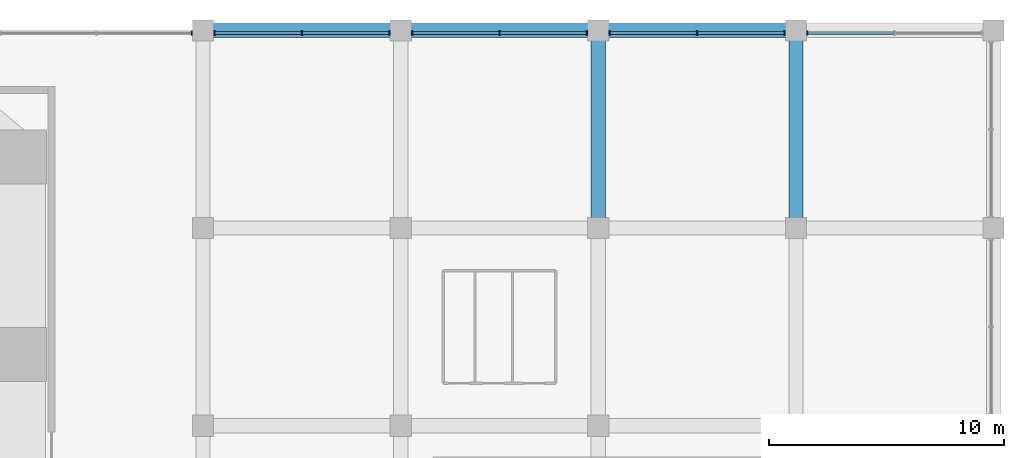
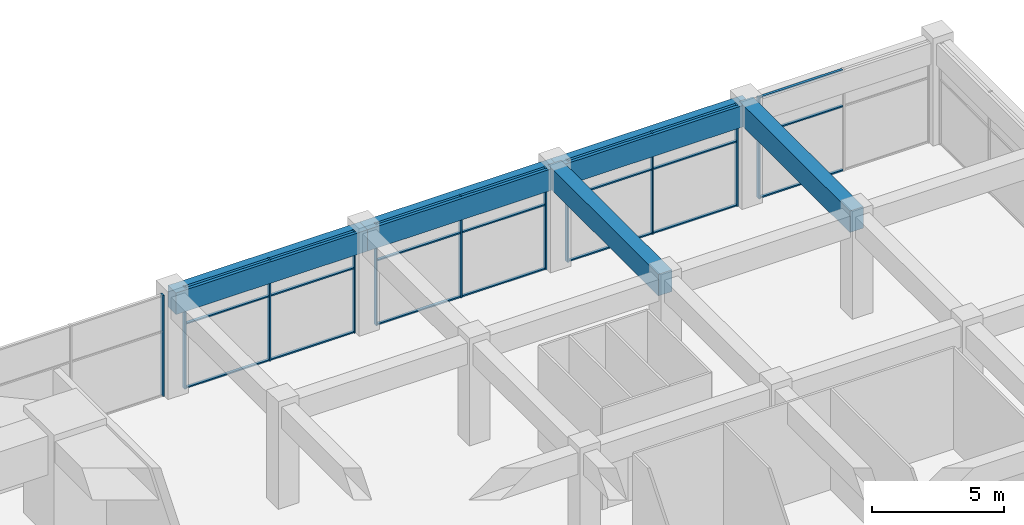
# One storey, part 22 of 36: 32 members, 5 beams, 5 elements without a shape of their own.
"""IFC4 building model written with IfcOpenShell, lengths in metres."""

from ifc_helpers import new_model, si_unit, direction, frame, origin, origin_2d, place, context, subcontext, project, spatial, rectangle, extrude, material, material_profile, profile_set, type_object, element, aggregate, save


model = new_model("IFC4")

# Units and contexts
model_context = context("Model", 3, precision=1e-05, world=origin(), true_north=direction((0.0, 1.0)))
body_context = subcontext(model_context, "Body", "Model", "MODEL_VIEW")
ifc_project = project(units=[si_unit("LENGTHUNIT", "METRE"), si_unit("AREAUNIT", "SQUARE_METRE"), si_unit("VOLUMEUNIT", "CUBIC_METRE"), si_unit("PLANEANGLEUNIT", "RADIAN"), si_unit("MASSUNIT", "GRAM", prefix="KILO")], contexts=[model_context])

# Site, building, storey
site_placement = place(None, origin())
site = spatial("IfcSite", under=ifc_project, at=site_placement, CompositionType="ELEMENT")
building_placement = place(site_placement, origin())
building = spatial("IfcBuilding", under=site, at=building_placement, Name="Impinga Residences", CompositionType="ELEMENT")
storey_placement = place(building_placement, frame((0.0, 0.0, 6.0)))
storey = spatial("IfcBuildingStorey", under=building, at=storey_placement, Name="L01", CompositionType="ELEMENT", Elevation=6.0)

# Curtain wall, member
ifc_material_1 = material(Name="Aluminium stick curtain wall", Category="aluminium")
curtain_wall_type = type_object("IfcCurtainWallType", Name="CW1 podium amenity curtain wall", PredefinedType="USERDEFINED", material=ifc_material_1)
curtain_wall_1_placement = place(storey_placement, origin())
curtain_wall_1 = element("IfcCurtainWall", 1, at=curtain_wall_1_placement, inside=storey, type_object=curtain_wall_type, Name="Curtain wall CW1 L01", ObjectType="STICK CURTAIN WALL", PredefinedType="USERDEFINED")
ifc_material_2 = material(Name="Aluminium mullion", Category="aluminium")
ifc_material_profile_1 = material_profile(ifc_material_2, rectangle(XDim=0.06005859375, YDim=0.179931640625, at=origin_2d()), Name="60x180 mullion")
ifc_profile_set_1 = profile_set([ifc_material_profile_1], Name="Aluminium mullion")
member_type_1 = type_object("IfcMemberType", Name="CW1-M mullion 60x180", PredefinedType="MULLION", material=ifc_profile_set_1)
member_1_placement = place(storey_placement, frame((16.31689453125, 50.300048828125, 0.0), z_axis=(0.0, 0.0, 1.0), x_axis=(1.0, 0.0, 0.0)))
member_1 = element("IfcMember", 2, at=member_1_placement, type_object=member_type_1, Name="CW1 mullion 9", PredefinedType="MULLION", context=body_context, shape_type="SweptSolid", body=[
    extrude(rectangle(XDim=0.06005859375, YDim=0.179931640625, at=origin_2d()), origin(), (0.0, 0.0, 1.0), 4.699951171875),
])
aggregate(curtain_wall_1, [member_1])

# Curtain wall, members
curtain_wall_2_placement = place(storey_placement, origin())
curtain_wall_2 = element("IfcCurtainWall", 3, at=curtain_wall_2_placement, inside=storey, type_object=curtain_wall_type, Name="Curtain wall CW1 L01", ObjectType="STICK CURTAIN WALL", PredefinedType="USERDEFINED")
member_2_placement = place(storey_placement, frame((17.282958984375, 50.300048828125, 0.0), z_axis=(0.0, 0.0, 1.0), x_axis=(1.0, 0.0, 0.0)))
member_2 = element("IfcMember", 4, at=member_2_placement, type_object=member_type_1, Name="CW1 mullion 1", PredefinedType="MULLION", context=body_context, shape_type="SweptSolid", body=[
    extrude(rectangle(XDim=0.06005859375, YDim=0.179931640625, at=origin_2d()), origin(), (0.0, 0.0, 1.0), 4.699951171875),
])
member_3_placement = place(storey_placement, frame((21.0, 50.300048828125, 0.0), z_axis=(0.0, 0.0, 1.0), x_axis=(1.0, 0.0, 0.0)))
member_3 = element("IfcMember", 5, at=member_3_placement, type_object=member_type_1, Name="CW1 mullion 2", PredefinedType="MULLION", context=body_context, shape_type="SweptSolid", body=[
    extrude(rectangle(XDim=0.06005859375, YDim=0.179931640625, at=origin_2d()), origin(), (0.0, 0.0, 1.0), 4.699951171875),
])
member_4_placement = place(storey_placement, frame((24.717041015625, 50.300048828125, 0.0), z_axis=(0.0, 0.0, 1.0), x_axis=(1.0, 0.0, 0.0)))
member_4 = element("IfcMember", 6, at=member_4_placement, type_object=member_type_1, Name="CW1 mullion 3", PredefinedType="MULLION", context=body_context, shape_type="SweptSolid", body=[
    extrude(rectangle(XDim=0.06005859375, YDim=0.179931640625, at=origin_2d()), origin(), (0.0, 0.0, 1.0), 4.699951171875),
])

curtain_wall_3_placement = place(storey_placement, origin())
curtain_wall_3 = element("IfcCurtainWall", 7, at=curtain_wall_3_placement, inside=storey, type_object=curtain_wall_type, Name="Curtain wall CW1 L01", ObjectType="STICK CURTAIN WALL", PredefinedType="USERDEFINED")
member_5_placement = place(storey_placement, frame((25.68310546875, 50.300048828125, 0.0), z_axis=(0.0, 0.0, 1.0), x_axis=(1.0, 0.0, 0.0)))
member_5 = element("IfcMember", 8, at=member_5_placement, type_object=member_type_1, Name="CW1 mullion 1", PredefinedType="MULLION", context=body_context, shape_type="SweptSolid", body=[
    extrude(rectangle(XDim=0.06005859375, YDim=0.179931640625, at=origin_2d()), origin(), (0.0, 0.0, 1.0), 4.699951171875),
])
member_6_placement = place(storey_placement, frame((29.39990234375, 50.300048828125, 0.0), z_axis=(0.0, 0.0, 1.0), x_axis=(1.0, 0.0, 0.0)))
member_6 = element("IfcMember", 9, at=member_6_placement, type_object=member_type_1, Name="CW1 mullion 2", PredefinedType="MULLION", context=body_context, shape_type="SweptSolid", body=[
    extrude(rectangle(XDim=0.06005859375, YDim=0.179931640625, at=origin_2d()), origin(), (0.0, 0.0, 1.0), 4.699951171875),
])
member_7_placement = place(storey_placement, frame((33.116943359375, 50.300048828125, 0.0), z_axis=(0.0, 0.0, 1.0), x_axis=(1.0, 0.0, 0.0)))
member_7 = element("IfcMember", 10, at=member_7_placement, type_object=member_type_1, Name="CW1 mullion 3", PredefinedType="MULLION", context=body_context, shape_type="SweptSolid", body=[
    extrude(rectangle(XDim=0.06005859375, YDim=0.179931640625, at=origin_2d()), origin(), (0.0, 0.0, 1.0), 4.699951171875),
])

curtain_wall_4_placement = place(storey_placement, origin())
curtain_wall_4 = element("IfcCurtainWall", 11, at=curtain_wall_4_placement, inside=storey, type_object=curtain_wall_type, Name="Curtain wall CW1 L01", ObjectType="STICK CURTAIN WALL", PredefinedType="USERDEFINED")
member_8_placement = place(storey_placement, frame((34.0830078125, 50.300048828125, 0.0), z_axis=(0.0, 0.0, 1.0), x_axis=(1.0, 0.0, 0.0)))
member_8 = element("IfcMember", 12, at=member_8_placement, type_object=member_type_1, Name="CW1 mullion 1", PredefinedType="MULLION", context=body_context, shape_type="SweptSolid", body=[
    extrude(rectangle(XDim=0.06005859375, YDim=0.179931640625, at=origin_2d()), origin(), (0.0, 0.0, 1.0), 4.699951171875),
])
member_9_placement = place(storey_placement, frame((37.800048828125, 50.300048828125, 0.0), z_axis=(0.0, 0.0, 1.0), x_axis=(1.0, 0.0, 0.0)))
member_9 = element("IfcMember", 13, at=member_9_placement, type_object=member_type_1, Name="CW1 mullion 2", PredefinedType="MULLION", context=body_context, shape_type="SweptSolid", body=[
    extrude(rectangle(XDim=0.06005859375, YDim=0.179931640625, at=origin_2d()), origin(), (0.0, 0.0, 1.0), 4.699951171875),
])
member_10_placement = place(storey_placement, frame((41.51708984375, 50.300048828125, 0.0), z_axis=(0.0, 0.0, 1.0), x_axis=(1.0, 0.0, 0.0)))
member_10 = element("IfcMember", 14, at=member_10_placement, type_object=member_type_1, Name="CW1 mullion 3", PredefinedType="MULLION", context=body_context, shape_type="SweptSolid", body=[
    extrude(rectangle(XDim=0.06005859375, YDim=0.179931640625, at=origin_2d()), origin(), (0.0, 0.0, 1.0), 4.699951171875),
])

# Curtain wall, member
curtain_wall_5_placement = place(storey_placement, origin())
curtain_wall_5 = element("IfcCurtainWall", 15, at=curtain_wall_5_placement, inside=storey, type_object=curtain_wall_type, Name="Curtain wall CW1 L01", ObjectType="STICK CURTAIN WALL", PredefinedType="USERDEFINED")
member_11_placement = place(storey_placement, frame((42.48291015625, 50.300048828125, 0.0), z_axis=(0.0, 0.0, 1.0), x_axis=(1.0, 0.0, 0.0)))
member_11 = element("IfcMember", 16, at=member_11_placement, type_object=member_type_1, Name="CW1 mullion 1", PredefinedType="MULLION", context=body_context, shape_type="SweptSolid", body=[
    extrude(rectangle(XDim=0.06005859375, YDim=0.179931640625, at=origin_2d()), origin(), (0.0, 0.0, 1.0), 4.699951171875),
])

# Member
ifc_material_3 = material(Name="Aluminium transom", Category="aluminium")
ifc_material_profile_2 = material_profile(ifc_material_3, rectangle(XDim=0.06005859375, YDim=0.1201171875, at=origin_2d()), Name="60x120 transom")
ifc_profile_set_2 = profile_set([ifc_material_profile_2], Name="Aluminium transom")
member_type_2 = type_object("IfcMemberType", Name="CW1-T transom 60x120", PredefinedType="USERDEFINED", material=ifc_profile_set_2)
member_12_placement = place(storey_placement, frame((17.31298828125, 50.300048828125, 0.030029296875), z_axis=(1.0, 0.0, 0.0), x_axis=(0.0, 0.0, 1.0)))
member_12 = element("IfcMember", 17, at=member_12_placement, type_object=member_type_2, Name="CW1 transom 1.1", ObjectType="TRANSOM", PredefinedType="USERDEFINED", context=body_context, shape_type="SweptSolid", body=[
    extrude(rectangle(XDim=0.06005859375, YDim=0.1201171875, at=origin_2d()), origin(), (0.0, 0.0, 1.0), 3.656982421875),
])

member_13_placement = place(storey_placement, frame((17.31298828125, 50.300048828125, 3.0), z_axis=(1.0, 0.0, 0.0), x_axis=(0.0, 0.0, 1.0)))
member_13 = element("IfcMember", 18, at=member_13_placement, type_object=member_type_2, Name="CW1 transom 1.2", ObjectType="TRANSOM", PredefinedType="USERDEFINED", context=body_context, shape_type="SweptSolid", body=[
    extrude(rectangle(XDim=0.06005859375, YDim=0.1201171875, at=origin_2d()), origin(), (0.0, 0.0, 1.0), 3.656982421875),
])

member_14_placement = place(storey_placement, frame((17.31298828125, 50.300048828125, 4.669921875), z_axis=(1.0, 0.0, 0.0), x_axis=(0.0, 0.0, 1.0)))
member_14 = element("IfcMember", 19, at=member_14_placement, type_object=member_type_2, Name="CW1 transom 1.3", ObjectType="TRANSOM", PredefinedType="USERDEFINED", context=body_context, shape_type="SweptSolid", body=[
    extrude(rectangle(XDim=0.06005859375, YDim=0.1201171875, at=origin_2d()), origin(), (0.0, 0.0, 1.0), 3.656982421875),
])

member_15_placement = place(storey_placement, frame((21.030029296875, 50.300048828125, 0.030029296875), z_axis=(1.0, 0.0, 0.0), x_axis=(0.0, 0.0, 1.0)))
member_15 = element("IfcMember", 20, at=member_15_placement, type_object=member_type_2, Name="CW1 transom 2.1", ObjectType="TRANSOM", PredefinedType="USERDEFINED", context=body_context, shape_type="SweptSolid", body=[
    extrude(rectangle(XDim=0.06005859375, YDim=0.1201171875, at=origin_2d()), origin(), (0.0, 0.0, 1.0), 3.656982421875),
])

member_16_placement = place(storey_placement, frame((21.030029296875, 50.300048828125, 3.0), z_axis=(1.0, 0.0, 0.0), x_axis=(0.0, 0.0, 1.0)))
member_16 = element("IfcMember", 21, at=member_16_placement, type_object=member_type_2, Name="CW1 transom 2.2", ObjectType="TRANSOM", PredefinedType="USERDEFINED", context=body_context, shape_type="SweptSolid", body=[
    extrude(rectangle(XDim=0.06005859375, YDim=0.1201171875, at=origin_2d()), origin(), (0.0, 0.0, 1.0), 3.656982421875),
])

member_17_placement = place(storey_placement, frame((21.030029296875, 50.300048828125, 4.669921875), z_axis=(1.0, 0.0, 0.0), x_axis=(0.0, 0.0, 1.0)))
member_17 = element("IfcMember", 22, at=member_17_placement, type_object=member_type_2, Name="CW1 transom 2.3", ObjectType="TRANSOM", PredefinedType="USERDEFINED", context=body_context, shape_type="SweptSolid", body=[
    extrude(rectangle(XDim=0.06005859375, YDim=0.1201171875, at=origin_2d()), origin(), (0.0, 0.0, 1.0), 3.656982421875),
])

aggregate(curtain_wall_2, [member_2, member_3, member_4, member_12, member_13, member_14, member_15, member_16, member_17])

member_18_placement = place(storey_placement, frame((25.712890625, 50.300048828125, 0.030029296875), z_axis=(1.0, 0.0, 0.0), x_axis=(0.0, 0.0, 1.0)))
member_18 = element("IfcMember", 23, at=member_18_placement, type_object=member_type_2, Name="CW1 transom 1.1", ObjectType="TRANSOM", PredefinedType="USERDEFINED", context=body_context, shape_type="SweptSolid", body=[
    extrude(rectangle(XDim=0.06005859375, YDim=0.1201171875, at=origin_2d()), origin(), (0.0, 0.0, 1.0), 3.6572265625),
])

member_19_placement = place(storey_placement, frame((25.712890625, 50.300048828125, 3.0), z_axis=(1.0, 0.0, 0.0), x_axis=(0.0, 0.0, 1.0)))
member_19 = element("IfcMember", 24, at=member_19_placement, type_object=member_type_2, Name="CW1 transom 1.2", ObjectType="TRANSOM", PredefinedType="USERDEFINED", context=body_context, shape_type="SweptSolid", body=[
    extrude(rectangle(XDim=0.06005859375, YDim=0.1201171875, at=origin_2d()), origin(), (0.0, 0.0, 1.0), 3.6572265625),
])

member_20_placement = place(storey_placement, frame((25.712890625, 50.300048828125, 4.669921875), z_axis=(1.0, 0.0, 0.0), x_axis=(0.0, 0.0, 1.0)))
member_20 = element("IfcMember", 25, at=member_20_placement, type_object=member_type_2, Name="CW1 transom 1.3", ObjectType="TRANSOM", PredefinedType="USERDEFINED", context=body_context, shape_type="SweptSolid", body=[
    extrude(rectangle(XDim=0.06005859375, YDim=0.1201171875, at=origin_2d()), origin(), (0.0, 0.0, 1.0), 3.6572265625),
])

member_21_placement = place(storey_placement, frame((29.429931640625, 50.300048828125, 0.030029296875), z_axis=(1.0, 0.0, 0.0), x_axis=(0.0, 0.0, 1.0)))
member_21 = element("IfcMember", 26, at=member_21_placement, type_object=member_type_2, Name="CW1 transom 2.1", ObjectType="TRANSOM", PredefinedType="USERDEFINED", context=body_context, shape_type="SweptSolid", body=[
    extrude(rectangle(XDim=0.06005859375, YDim=0.1201171875, at=origin_2d()), origin(), (0.0, 0.0, 1.0), 3.656982421875),
])

member_22_placement = place(storey_placement, frame((29.429931640625, 50.300048828125, 3.0), z_axis=(1.0, 0.0, 0.0), x_axis=(0.0, 0.0, 1.0)))
member_22 = element("IfcMember", 27, at=member_22_placement, type_object=member_type_2, Name="CW1 transom 2.2", ObjectType="TRANSOM", PredefinedType="USERDEFINED", context=body_context, shape_type="SweptSolid", body=[
    extrude(rectangle(XDim=0.06005859375, YDim=0.1201171875, at=origin_2d()), origin(), (0.0, 0.0, 1.0), 3.656982421875),
])

member_23_placement = place(storey_placement, frame((29.429931640625, 50.300048828125, 4.669921875), z_axis=(1.0, 0.0, 0.0), x_axis=(0.0, 0.0, 1.0)))
member_23 = element("IfcMember", 28, at=member_23_placement, type_object=member_type_2, Name="CW1 transom 2.3", ObjectType="TRANSOM", PredefinedType="USERDEFINED", context=body_context, shape_type="SweptSolid", body=[
    extrude(rectangle(XDim=0.06005859375, YDim=0.1201171875, at=origin_2d()), origin(), (0.0, 0.0, 1.0), 3.656982421875),
])

aggregate(curtain_wall_3, [member_5, member_6, member_7, member_18, member_19, member_20, member_21, member_22, member_23])

member_24_placement = place(storey_placement, frame((34.113037109375, 50.300048828125, 0.030029296875), z_axis=(1.0, 0.0, 0.0), x_axis=(0.0, 0.0, 1.0)))
member_24 = element("IfcMember", 29, at=member_24_placement, type_object=member_type_2, Name="CW1 transom 1.1", ObjectType="TRANSOM", PredefinedType="USERDEFINED", context=body_context, shape_type="SweptSolid", body=[
    extrude(rectangle(XDim=0.06005859375, YDim=0.1201171875, at=origin_2d()), origin(), (0.0, 0.0, 1.0), 3.656982421875),
])

member_25_placement = place(storey_placement, frame((34.113037109375, 50.300048828125, 3.0), z_axis=(1.0, 0.0, 0.0), x_axis=(0.0, 0.0, 1.0)))
member_25 = element("IfcMember", 30, at=member_25_placement, type_object=member_type_2, Name="CW1 transom 1.2", ObjectType="TRANSOM", PredefinedType="USERDEFINED", context=body_context, shape_type="SweptSolid", body=[
    extrude(rectangle(XDim=0.06005859375, YDim=0.1201171875, at=origin_2d()), origin(), (0.0, 0.0, 1.0), 3.656982421875),
])

member_26_placement = place(storey_placement, frame((34.113037109375, 50.300048828125, 4.669921875), z_axis=(1.0, 0.0, 0.0), x_axis=(0.0, 0.0, 1.0)))
member_26 = element("IfcMember", 31, at=member_26_placement, type_object=member_type_2, Name="CW1 transom 1.3", ObjectType="TRANSOM", PredefinedType="USERDEFINED", context=body_context, shape_type="SweptSolid", body=[
    extrude(rectangle(XDim=0.06005859375, YDim=0.1201171875, at=origin_2d()), origin(), (0.0, 0.0, 1.0), 3.656982421875),
])

member_27_placement = place(storey_placement, frame((37.830078125, 50.300048828125, 0.030029296875), z_axis=(1.0, 0.0, 0.0), x_axis=(0.0, 0.0, 1.0)))
member_27 = element("IfcMember", 32, at=member_27_placement, type_object=member_type_2, Name="CW1 transom 2.1", ObjectType="TRANSOM", PredefinedType="USERDEFINED", context=body_context, shape_type="SweptSolid", body=[
    extrude(rectangle(XDim=0.06005859375, YDim=0.1201171875, at=origin_2d()), origin(), (0.0, 0.0, 1.0), 3.656982421875),
])

member_28_placement = place(storey_placement, frame((37.830078125, 50.300048828125, 3.0), z_axis=(1.0, 0.0, 0.0), x_axis=(0.0, 0.0, 1.0)))
member_28 = element("IfcMember", 33, at=member_28_placement, type_object=member_type_2, Name="CW1 transom 2.2", ObjectType="TRANSOM", PredefinedType="USERDEFINED", context=body_context, shape_type="SweptSolid", body=[
    extrude(rectangle(XDim=0.06005859375, YDim=0.1201171875, at=origin_2d()), origin(), (0.0, 0.0, 1.0), 3.656982421875),
])

member_29_placement = place(storey_placement, frame((37.830078125, 50.300048828125, 4.669921875), z_axis=(1.0, 0.0, 0.0), x_axis=(0.0, 0.0, 1.0)))
member_29 = element("IfcMember", 34, at=member_29_placement, type_object=member_type_2, Name="CW1 transom 2.3", ObjectType="TRANSOM", PredefinedType="USERDEFINED", context=body_context, shape_type="SweptSolid", body=[
    extrude(rectangle(XDim=0.06005859375, YDim=0.1201171875, at=origin_2d()), origin(), (0.0, 0.0, 1.0), 3.656982421875),
])

aggregate(curtain_wall_4, [member_8, member_9, member_10, member_24, member_25, member_26, member_27, member_28, member_29])

member_30_placement = place(storey_placement, frame((42.512939453125, 50.300048828125, 0.030029296875), z_axis=(1.0, 0.0, 0.0), x_axis=(0.0, 0.0, 1.0)))
member_30 = element("IfcMember", 35, at=member_30_placement, type_object=member_type_2, Name="CW1 transom 1.1", ObjectType="TRANSOM", PredefinedType="USERDEFINED", context=body_context, shape_type="SweptSolid", body=[
    extrude(rectangle(XDim=0.06005859375, YDim=0.1201171875, at=origin_2d()), origin(), (0.0, 0.0, 1.0), 3.656982421875),
])

member_31_placement = place(storey_placement, frame((42.512939453125, 50.300048828125, 3.0), z_axis=(1.0, 0.0, 0.0), x_axis=(0.0, 0.0, 1.0)))
member_31 = element("IfcMember", 36, at=member_31_placement, type_object=member_type_2, Name="CW1 transom 1.2", ObjectType="TRANSOM", PredefinedType="USERDEFINED", context=body_context, shape_type="SweptSolid", body=[
    extrude(rectangle(XDim=0.06005859375, YDim=0.1201171875, at=origin_2d()), origin(), (0.0, 0.0, 1.0), 3.656982421875),
])

member_32_placement = place(storey_placement, frame((42.512939453125, 50.300048828125, 4.669921875), z_axis=(1.0, 0.0, 0.0), x_axis=(0.0, 0.0, 1.0)))
member_32 = element("IfcMember", 37, at=member_32_placement, type_object=member_type_2, Name="CW1 transom 1.3", ObjectType="TRANSOM", PredefinedType="USERDEFINED", context=body_context, shape_type="SweptSolid", body=[
    extrude(rectangle(XDim=0.06005859375, YDim=0.1201171875, at=origin_2d()), origin(), (0.0, 0.0, 1.0), 3.656982421875),
])

aggregate(curtain_wall_5, [member_11, member_30, member_31, member_32])

# Beams
ifc_material_4 = material(Name="Concrete C60/75", Category="concrete")
ifc_material_profile_3 = material_profile(ifc_material_4, rectangle(XDim=0.60009765625, YDim=1.0, at=origin_2d()), Name="RC 600x1000")
ifc_profile_set_3 = profile_set([ifc_material_profile_3], Name="Concrete C60/75")
beam_type = type_object("IfcBeamType", Name="PB2 600x1000 podium beam", PredefinedType="BEAM", material=ifc_profile_set_3)
beam_1_placement = place(storey_placement, frame((16.800048828125, 50.39990234375, 4.199951171875), z_axis=(1.0, 0.0, 0.0), x_axis=(0.0, 1.0, 0.0)))
element("IfcBeam", 38, at=beam_1_placement, inside=storey, type_object=beam_type, Name="Beam PB2 M/9-10 level L02", PredefinedType="BEAM", context=body_context, shape_type="SweptSolid", body=[
    extrude(rectangle(XDim=0.60009765625, YDim=1.0, at=origin_2d()), origin(), (0.0, 0.0, 1.0), 8.39990234375),
])
beam_2_placement = place(storey_placement, frame((25.199951171875, 50.39990234375, 4.199951171875), z_axis=(1.0, 0.0, 0.0), x_axis=(0.0, 1.0, 0.0)))
element("IfcBeam", 39, at=beam_2_placement, inside=storey, type_object=beam_type, Name="Beam PB2 M/10-11 level L02", PredefinedType="BEAM", context=body_context, shape_type="SweptSolid", body=[
    extrude(rectangle(XDim=0.60009765625, YDim=1.0, at=origin_2d()), origin(), (0.0, 0.0, 1.0), 8.400146484375),
])
for number, where, z_axis, x_axis, name in (
    (40, (33.60009765625, 50.39990234375, 4.199951171875), (1.0, 0.0, 0.0), (0.0, 1.0, 0.0), "Beam PB2 M/11-12 level L02"),
    (41, (33.60009765625, 42.0, 4.199951171875), (0.0, 1.0, 0.0), (-1.0, 0.0, 0.0), "Beam PB2 11/L-M level L02"),
    (42, (42.0, 42.0, 4.199951171875), (0.0, 1.0, 0.0), (-1.0, 0.0, 0.0), "Beam PB2 12/L-M level L02"),
):
    element("IfcBeam", number, at=place(storey_placement, frame(where, z_axis=z_axis, x_axis=x_axis)), inside=storey, type_object=beam_type, Name=name, PredefinedType="BEAM", context=body_context, shape_type="SweptSolid", body=[
        extrude(rectangle(XDim=0.60009765625, YDim=1.0, at=origin_2d()), origin(), (0.0, 0.0, 1.0), 8.39990234375),
    ])

save(model, "model.ifc")
